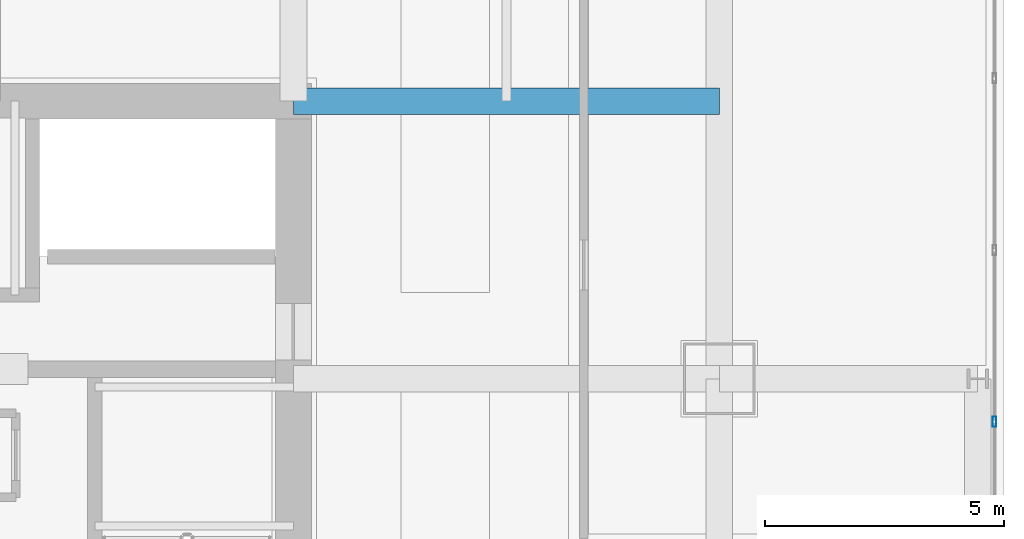
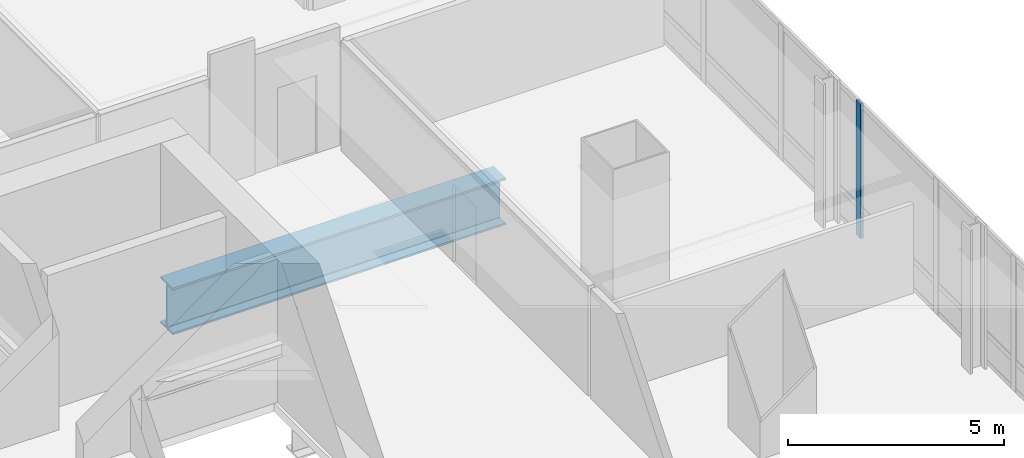
# One storey, part 16 of 37: 1 beam, 1 member, 1 element without a shape of its own.
"""IFC4 building model written with IfcOpenShell, lengths in metres."""

from ifc_helpers import new_model, si_unit, direction, frame, origin, origin_2d, place, context, subcontext, project, spatial, hollow_rectangle, i_section, extrude, material, material_profile, profile_set, type_object, element, aggregate, save


model = new_model("IFC4")

# Units and contexts
model_context = context("Model", 3, precision=1e-05, world=origin(), true_north=direction((0.0, 1.0)))
body_context = subcontext(model_context, "Body", "Model", "MODEL_VIEW")
ifc_project = project(units=[si_unit("LENGTHUNIT", "METRE"), si_unit("AREAUNIT", "SQUARE_METRE"), si_unit("VOLUMEUNIT", "CUBIC_METRE"), si_unit("PLANEANGLEUNIT", "RADIAN"), si_unit("MASSUNIT", "GRAM", prefix="KILO")], contexts=[model_context])

# Site, building, storey
site_placement = place(None, origin())
site = spatial("IfcSite", under=ifc_project, at=site_placement, CompositionType="ELEMENT")
building_placement = place(site_placement, origin())
building = spatial("IfcBuilding", under=site, at=building_placement, Name="Punatoya Terracotta Tower", CompositionType="ELEMENT")
storey_placement = place(building_placement, frame((0.0, 0.0, 109.199951171875)))
storey = spatial("IfcBuildingStorey", under=building, at=storey_placement, Name="L25", CompositionType="ELEMENT", Elevation=109.199951171875)

# Beam
ifc_material_1 = material(Name="Steel S460", Category="steel")
ifc_material_profile_1 = material_profile(ifc_material_1, i_section(OverallWidth=0.56005859375, OverallDepth=1.320068359375, WebThickness=0.035888671875, FlangeThickness=0.054931640625, FilletRadius=0.01806640625, at=origin_2d()))
ifc_profile_set_1 = profile_set([ifc_material_profile_1], Name="Steel S460")
beam_type = type_object("IfcBeamType", Name="BM-TG-BLK", PredefinedType="BEAM", material=ifc_profile_set_1)
beam_placement = place(storey_placement, frame((10.199951171875, 9.199951171875, -0.89990234375), z_axis=(1.0, 0.0, 0.0), x_axis=(0.0, 1.0, 0.0)))
element("IfcBeam", 1, at=beam_placement, inside=storey, type_object=beam_type, Name="BM-L25-PR-EN", PredefinedType="BEAM", context=body_context, shape_type="SweptSolid", body=[
    extrude(i_section(OverallWidth=0.56005859375, OverallDepth=1.320068359375, WebThickness=0.035888671875, FlangeThickness=0.054931640625, FilletRadius=0.01806640625, at=origin_2d()), origin(), (0.0, 0.0, 1.0), 8.900146484375),
])

# Curtain wall, member
ifc_material_2 = material(Name="Aluminium 6063-T6 + Double Low-E Glass", Category="aluminium")
curtain_wall_type = type_object("IfcCurtainWallType", Name="CW-M1", PredefinedType="NOTDEFINED", material=ifc_material_2)
curtain_wall_placement = place(storey_placement, origin())
curtain_wall = element("IfcCurtainWall", 2, at=curtain_wall_placement, inside=storey, type_object=curtain_wall_type, Name="L25 Curtain Wall CW-L25-E05-1", PredefinedType="NOTDEFINED")
ifc_material_3 = material(Name="Aluminium 6063-T6", Category="aluminium")
ifc_material_profile_2 = material_profile(ifc_material_3, hollow_rectangle(XDim=0.074951171875, YDim=0.2099609375, WallThickness=0.00439453125, at=origin_2d()))
ifc_profile_set_2 = profile_set([ifc_material_profile_2], Name="Aluminium 6063-T6")
member_type = type_object("IfcMemberType", Name="CW-MUL-M1", PredefinedType="MULLION", material=ifc_profile_set_2)
member_placement = place(storey_placement, frame((24.85009765625, 2.500244140625, 0.0), z_axis=(0.0, 0.0, 1.0), x_axis=(1.0, 0.0, 0.0)))
member = element("IfcMember", 3, at=member_placement, type_object=member_type, Name="CW-L25-E05-1 Mullion 05", PredefinedType="MULLION", context=body_context, shape_type="SweptSolid", body=[
    extrude(hollow_rectangle(XDim=0.074951171875, YDim=0.2099609375, WallThickness=0.00439453125, at=origin_2d()), origin(), (0.0, 0.0, 1.0), 3.81005859375),
])
aggregate(curtain_wall, [member])

save(model, "model.ifc")
